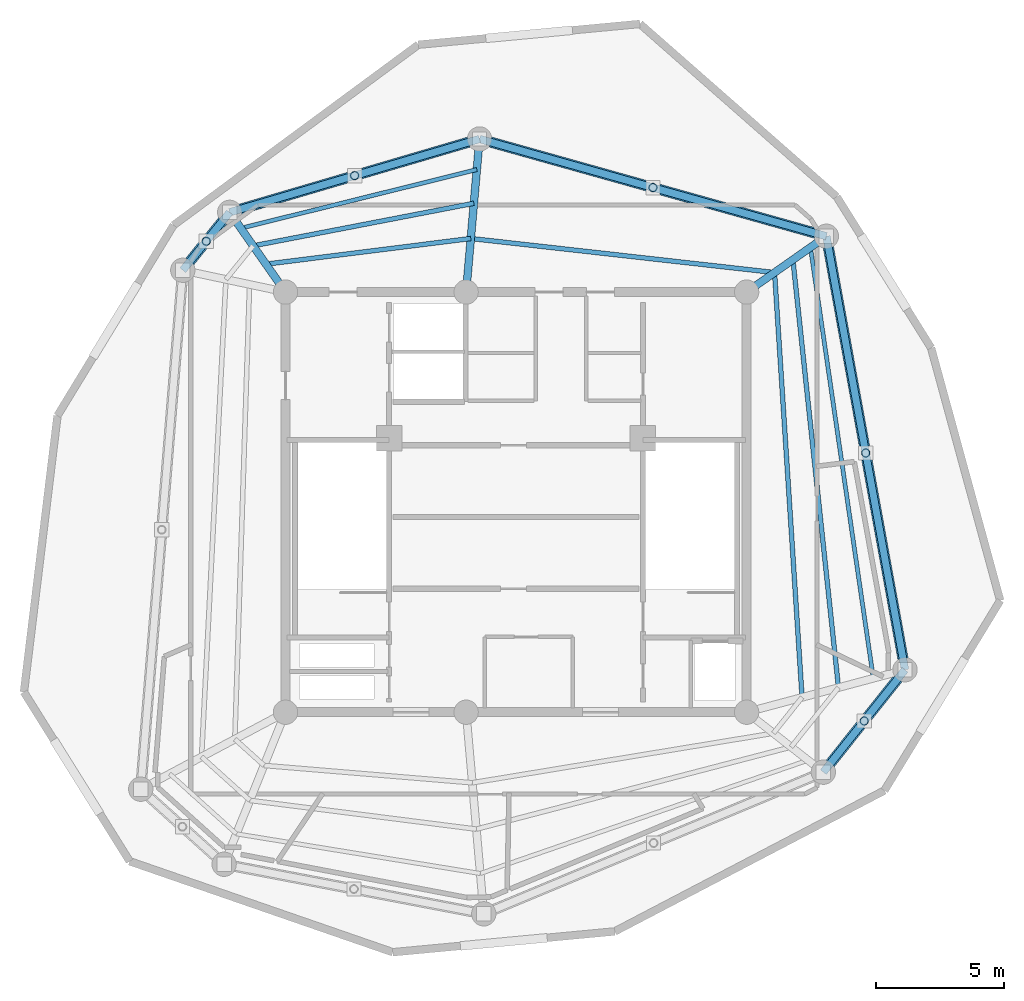
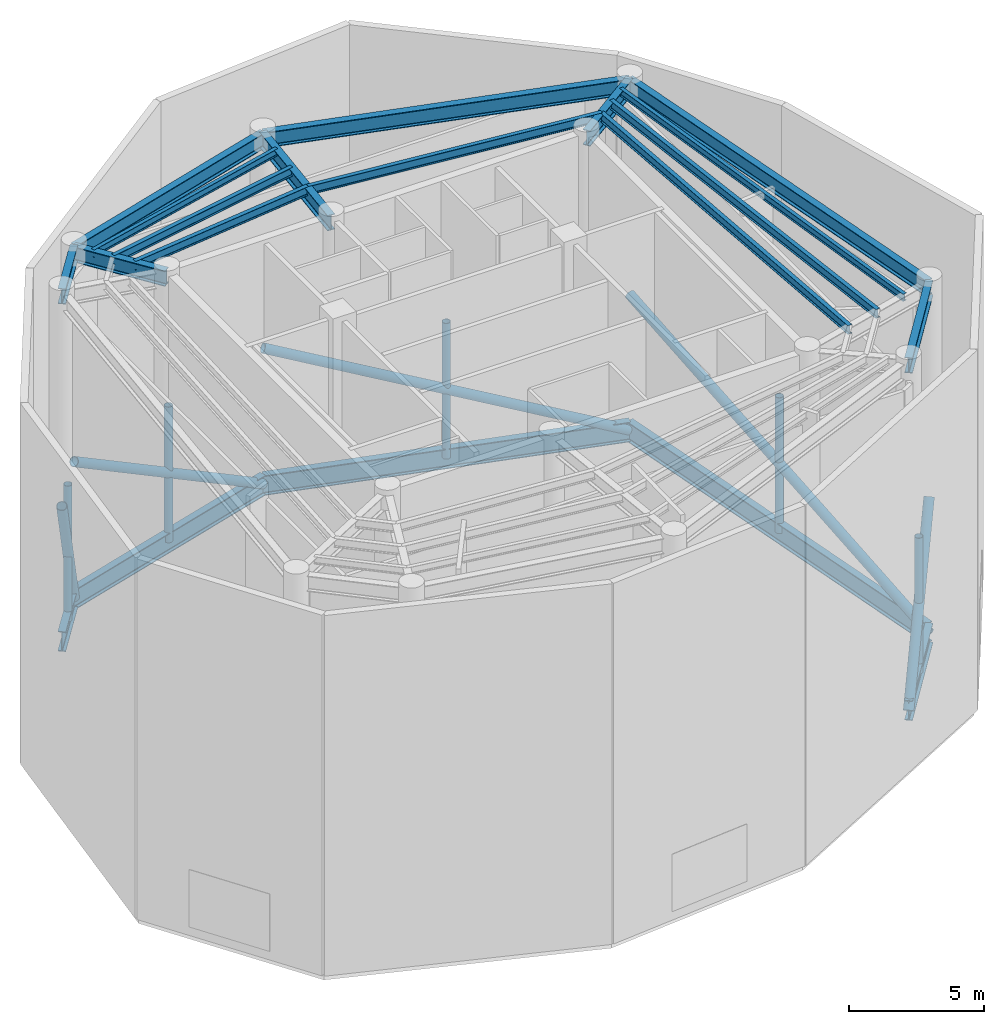
# One storey, part 2 of 6: 15 beams, 15 members.
"""IFC4 building model written with IfcOpenShell, lengths in metres."""

from ifc_helpers import new_model, si_unit, direction, frame, origin, origin_with_axes, origin_2d, place, context, subcontext, project, spatial, hollow_circle, i_section, extrude, source, transform, mapped, material, material_profile, profile_set, type_object, element, save


model = new_model("IFC4")

# Units and contexts
model_context = context("Model", 3, precision=1e-05, world=origin(), true_north=direction((0.0, 1.0)))
body_context = subcontext(model_context, "Body", "Model", "MODEL_VIEW")
ifc_project = project(units=[si_unit("LENGTHUNIT", "METRE"), si_unit("AREAUNIT", "SQUARE_METRE"), si_unit("VOLUMEUNIT", "CUBIC_METRE"), si_unit("PLANEANGLEUNIT", "RADIAN"), si_unit("MASSUNIT", "GRAM", prefix="KILO")], contexts=[model_context])

# Site, building, storey
site_placement = place(None, origin())
site = spatial("IfcSite", under=ifc_project, at=site_placement, CompositionType="ELEMENT")
building_placement = place(site_placement, origin())
building = spatial("IfcBuilding", under=site, at=building_placement, Name="Karkom Vertical University and Central Library", CompositionType="ELEMENT")
storey_placement = place(building_placement, frame((0.0, 0.0, 273.39990234375)))
storey = spatial("IfcBuildingStorey", under=building, at=storey_placement, Name="C81", CompositionType="ELEMENT", Elevation=273.39990234375)

# Beams
ifc_material_1 = material(Name="Steel S355", Category="steel")
ifc_material_profile_1 = material_profile(ifc_material_1, i_section(OverallWidth=0.179931640625, OverallDepth=0.39990234375, WebThickness=0.008544921875, FlangeThickness=0.013427734375, FilletRadius=0.02099609375, at=origin_2d()), Name="IPE 400")
ifc_profile_set_1 = profile_set([ifc_material_profile_1], Name="Steel S355")
beam_type_1 = type_object("IfcBeamType", Name="STR-BM-SB-IPE400", PredefinedType="BEAM", material=ifc_profile_set_1)
shared_shape_1 = source(origin_with_axes(), body_context, "Body", "SweptSolid", [
    extrude(i_section(OverallWidth=0.179931640625, OverallDepth=0.39990234375, WebThickness=0.008544921875, FlangeThickness=0.013427734375, FilletRadius=0.02099609375, at=origin_2d()), origin(), (0.0, 0.0, 1.0), 16.617919921875),
])
beam_1_placement = place(storey_placement, frame((39.663818359375, 18.879638671875, 16.150146484375), z_axis=(-0.064641848008, 0.997908528617, 0.0), x_axis=(-0.997908528617, -0.064641848008, 0.0)))
element("IfcBeam", 1, at=beam_1_placement, inside=storey, type_object=beam_type_1, Name="Crown Level 81 Secondary Composite Floor Beam 1.01", PredefinedType="BEAM", context=body_context, shape_type="MappedRepresentation", body=[
    mapped(shared_shape_1, transform((0.0, 0.0, 0.0), scale=1.0)),
])
shared_shape_2 = source(origin_with_axes(), body_context, "Body", "SweptSolid", [
    extrude(i_section(OverallWidth=0.179931640625, OverallDepth=0.39990234375, WebThickness=0.008544921875, FlangeThickness=0.013427734375, FilletRadius=0.02099609375, at=origin_2d()), origin(), (0.0, 0.0, 1.0), 11.9306640625),
])
beam_2_placement = place(storey_placement, frame((38.589599609375, 35.462890625, 16.150146484375), z_axis=(-0.993775454886, 0.11140172919, 0.0), x_axis=(-0.11140172919, -0.993775454886, 0.0)))
element("IfcBeam", 2, at=beam_2_placement, inside=storey, type_object=beam_type_1, Name="Crown Level 81 Secondary Composite Floor Beam 1.02", PredefinedType="BEAM", context=body_context, shape_type="MappedRepresentation", body=[
    mapped(shared_shape_2, transform((0.0, 0.0, 0.0), scale=1.0)),
])
shared_shape_3 = source(origin_with_axes(), body_context, "Body", "SweptSolid", [
    extrude(i_section(OverallWidth=0.179931640625, OverallDepth=0.39990234375, WebThickness=0.008544921875, FlangeThickness=0.013427734375, FilletRadius=0.02099609375, at=origin_2d()), origin(), (0.0, 0.0, 1.0), 8.05859375),
])
beam_3_placement = place(storey_placement, frame((26.733154296875, 36.7919921875, 16.150146484375), z_axis=(-0.99223306826, -0.124392677646, 0.0), x_axis=(0.124392677646, -0.99223306826, 0.0)))
element("IfcBeam", 3, at=beam_3_placement, inside=storey, type_object=beam_type_1, Name="Crown Level 81 Secondary Composite Floor Beam 1.03", PredefinedType="BEAM", context=body_context, shape_type="MappedRepresentation", body=[
    mapped(shared_shape_3, transform((0.0, 0.0, 0.0), scale=1.0)),
])
shared_shape_4 = source(origin_with_axes(), body_context, "Body", "SweptSolid", [
    extrude(i_section(OverallWidth=0.179931640625, OverallDepth=0.39990234375, WebThickness=0.008544921875, FlangeThickness=0.013427734375, FilletRadius=0.02099609375, at=origin_2d()), origin(), (0.0, 0.0, 1.0), 16.79833984375),
])
beam_4_placement = place(storey_placement, frame((41.085693359375, 19.260498046875, 16.150146484375), z_axis=(-0.105978377704, 0.994368434464, 0.0), x_axis=(-0.994368434464, -0.105978377704, 0.0)))
element("IfcBeam", 4, at=beam_4_placement, inside=storey, type_object=beam_type_1, Name="Crown Level 81 Secondary Composite Floor Beam 2.01", PredefinedType="BEAM", context=body_context, shape_type="MappedRepresentation", body=[
    mapped(shared_shape_4, transform((0.0, 0.0, 0.0), scale=1.0)),
])
shared_shape_5 = source(origin_with_axes(), body_context, "Body", "SweptSolid", [
    extrude(i_section(OverallWidth=0.179931640625, OverallDepth=0.39990234375, WebThickness=0.008544921875, FlangeThickness=0.013427734375, FilletRadius=0.02099609375, at=origin_2d()), origin(), (0.0, 0.0, 1.0), 8.7763671875),
])
beam_5_placement = place(storey_placement, frame((26.853271484375, 38.166748046875, 16.150146484375), z_axis=(-0.981924209256, -0.189274528862, 0.0), x_axis=(0.189274528862, -0.981924209256, 0.0)))
element("IfcBeam", 5, at=beam_5_placement, inside=storey, type_object=beam_type_1, Name="Crown Level 81 Secondary Composite Floor Beam 2.03", PredefinedType="BEAM", context=body_context, shape_type="MappedRepresentation", body=[
    mapped(shared_shape_5, transform((0.0, 0.0, 0.0), scale=1.0)),
])
ifc_material_profile_2 = material_profile(ifc_material_1, i_section(OverallWidth=0.159912109375, OverallDepth=0.330078125, WebThickness=0.007568359375, FlangeThickness=0.011474609375, FilletRadius=0.01806640625, at=origin_2d()), Name="IPE 330")
ifc_profile_set_2 = profile_set([ifc_material_profile_2], Name="Steel S355")
beam_type_2 = type_object("IfcBeamType", Name="STR-BM-SB-IPE330", PredefinedType="BEAM", material=ifc_profile_set_2)
shared_shape_6 = source(origin_with_axes(), body_context, "Body", "SweptSolid", [
    extrude(i_section(OverallWidth=0.159912109375, OverallDepth=0.330078125, WebThickness=0.007568359375, FlangeThickness=0.011474609375, FilletRadius=0.01806640625, at=origin_2d()), origin(), (0.0, 0.0, 1.0), 16.99755859375),
])
beam_6_placement = place(storey_placement, frame((42.445556640625, 19.624755859375, 16.18505859375), z_axis=(-0.144436985275, 0.98951400055, 0.0), x_axis=(-0.98951400055, -0.144436985275, 0.0)))
element("IfcBeam", 6, at=beam_6_placement, inside=storey, type_object=beam_type_2, Name="Crown Level 81 Secondary Composite Floor Beam 3.01", PredefinedType="BEAM", context=body_context, shape_type="MappedRepresentation", body=[
    mapped(shared_shape_6, transform((0.0, 0.0, 0.0), scale=1.0)),
])
shared_shape_7 = source(origin_with_axes(), body_context, "Body", "SweptSolid", [
    extrude(i_section(OverallWidth=0.159912109375, OverallDepth=0.330078125, WebThickness=0.007568359375, FlangeThickness=0.011474609375, FilletRadius=0.01806640625, at=origin_2d()), origin(), (0.0, 0.0, 1.0), 9.4931640625),
])
beam_7_placement = place(storey_placement, frame((26.968505859375, 39.481689453125, 16.18505859375), z_axis=(-0.970435275293, -0.241361505767, 0.0), x_axis=(0.241361505767, -0.970435275293, 0.0)))
element("IfcBeam", 7, at=beam_7_placement, inside=storey, type_object=beam_type_2, Name="Crown Level 81 Secondary Composite Floor Beam 3.03", PredefinedType="BEAM", context=body_context, shape_type="MappedRepresentation", body=[
    mapped(shared_shape_7, transform((0.0, 0.0, 0.0), scale=1.0)),
])

# Members
ifc_material_2 = material(Name="Steel S460", Category="steel")
ifc_material_profile_3 = material_profile(ifc_material_2, i_section(OverallWidth=0.300048828125, OverallDepth=0.89990234375, WebThickness=0.0185546875, FlangeThickness=0.034912109375, FilletRadius=0.030029296875, at=origin_2d()), Name="HE 900 B")
ifc_profile_set_3 = profile_set([ifc_material_profile_3], Name="Steel S460")
member_type_1 = type_object("IfcMemberType", Name="STR-MEM-CH-1", PredefinedType="CHORD", material=ifc_profile_set_3)
shared_shape_8 = source(origin_with_axes(), body_context, "Body", "SweptSolid", [
    extrude(i_section(OverallWidth=0.300048828125, OverallDepth=0.89990234375, WebThickness=0.0185546875, FlangeThickness=0.034912109375, FilletRadius=0.030029296875, at=origin_2d()), origin(), (0.0, 0.0, 1.0), 17.19970703125),
])
member_1_placement = place(storey_placement, frame((43.681884765625, 19.9560546875, 0.35009765625), z_axis=(-0.178423249727, 0.983953832228, 0.0), x_axis=(-0.983953832228, -0.178423249727, 0.0)))
element("IfcMember", 8, at=member_1_placement, inside=storey, type_object=member_type_1, Name="Crown Level 81 Belt Truss Bottom Chord 01", PredefinedType="CHORD", context=body_context, shape_type="MappedRepresentation", body=[
    mapped(shared_shape_8, transform((0.0, 0.0, 0.0), scale=1.0)),
])
shared_shape_9 = source(origin_with_axes(), body_context, "Body", "SweptSolid", [
    extrude(i_section(OverallWidth=0.300048828125, OverallDepth=0.89990234375, WebThickness=0.0185546875, FlangeThickness=0.034912109375, FilletRadius=0.030029296875, at=origin_2d()), origin(), (0.0, 0.0, 1.0), 14.0625),
])
member_2_placement = place(storey_placement, frame((40.613037109375, 36.8798828125, 0.35009765625), z_axis=(-0.962854853531, 0.270019501207, 0.0), x_axis=(-0.270019501207, -0.962854853531, 0.0)))
element("IfcMember", 9, at=member_2_placement, inside=storey, type_object=member_type_1, Name="Crown Level 81 Belt Truss Bottom Chord 02", PredefinedType="CHORD", context=body_context, shape_type="MappedRepresentation", body=[
    mapped(shared_shape_9, transform((0.0, 0.0, 0.0), scale=1.0)),
])
shared_shape_10 = source(origin_with_axes(), body_context, "Body", "SweptSolid", [
    extrude(i_section(OverallWidth=0.300048828125, OverallDepth=0.89990234375, WebThickness=0.0185546875, FlangeThickness=0.034912109375, FilletRadius=0.030029296875, at=origin_2d()), origin(), (0.0, 0.0, 1.0), 10.164794921875),
])
member_3_placement = place(storey_placement, frame((27.072998046875, 40.677001953125, 0.35009765625), z_axis=(-0.959485124536, -0.281759286971, 0.0), x_axis=(0.281759286971, -0.959485124536, 0.0)))
element("IfcMember", 10, at=member_3_placement, inside=storey, type_object=member_type_1, Name="Crown Level 81 Belt Truss Bottom Chord 03", PredefinedType="CHORD", context=body_context, shape_type="MappedRepresentation", body=[
    mapped(shared_shape_10, transform((0.0, 0.0, 0.0), scale=1.0)),
])
shared_shape_11 = source(origin_with_axes(), body_context, "Body", "SweptSolid", [
    extrude(i_section(OverallWidth=0.300048828125, OverallDepth=0.89990234375, WebThickness=0.0185546875, FlangeThickness=0.034912109375, FilletRadius=0.030029296875, at=origin_2d()), origin(), (0.0, 0.0, 1.0), 2.908935546875),
])
member_4_placement = place(storey_placement, frame((17.320068359375, 37.81298828125, 0.35009765625), z_axis=(-0.629147523747, -0.777285914811, 0.0), x_axis=(0.777285914811, -0.629147523747, 0.0)))
element("IfcMember", 11, at=member_4_placement, inside=storey, type_object=member_type_1, Name="Crown Level 81 Belt Truss Bottom Chord 04", PredefinedType="CHORD", context=body_context, shape_type="MappedRepresentation", body=[
    mapped(shared_shape_11, transform((0.0, 0.0, 0.0), scale=1.0)),
])
shared_shape_12 = source(origin_with_axes(), body_context, "Body", "SweptSolid", [
    extrude(i_section(OverallWidth=0.300048828125, OverallDepth=0.89990234375, WebThickness=0.0185546875, FlangeThickness=0.034912109375, FilletRadius=0.030029296875, at=origin_2d()), origin(), (0.0, 0.0, 1.0), 5.112060546875),
])
member_5_placement = place(storey_placement, frame((40.493896484375, 15.9599609375, 0.35009765625), z_axis=(0.623634459503, 0.78171609995, 0.0), x_axis=(-0.78171609995, 0.623634459503, 0.0)))
element("IfcMember", 12, at=member_5_placement, inside=storey, type_object=member_type_1, Name="Crown Level 81 Belt Truss Bottom Chord 09", PredefinedType="CHORD", context=body_context, shape_type="MappedRepresentation", body=[
    mapped(shared_shape_12, transform((0.0, 0.0, 0.0), scale=1.0)),
])

# Beams
ifc_material_profile_4 = material_profile(ifc_material_1, i_section(OverallWidth=0.300048828125, OverallDepth=0.699951171875, WebThickness=0.01708984375, FlangeThickness=0.031982421875, FilletRadius=0.027099609375, at=origin_2d()), Name="HE 700 B")
ifc_profile_set_4 = profile_set([ifc_material_profile_4], Name="Steel S355")
beam_type_3 = type_object("IfcBeamType", Name="STR-BM-SB-HE700", PredefinedType="USERDEFINED", material=ifc_profile_set_4)
shared_shape_13 = source(origin_with_axes(), body_context, "Body", "SweptSolid", [
    extrude(i_section(OverallWidth=0.300048828125, OverallDepth=0.699951171875, WebThickness=0.01708984375, FlangeThickness=0.031982421875, FilletRadius=0.027099609375, at=origin_2d()), origin(), (0.0, 0.0, 1.0), 3.80029296875),
])
for number, where, z_axis, x_axis, name in (
    (13, (37.5, 34.699951171875, 16.0), (0.819132313625, 0.573604613627, 0.0), (-0.573604613627, 0.819132313625, 0.0), "Crown Level 81 Radial Frame Girder 02"),
    (14, (19.5, 34.699951171875, 16.0), (-0.573604613627, 0.819132313625, 0.0), (-0.819132313625, -0.573604613627, 0.0), "Crown Level 81 Radial Frame Girder 04"),
):
    element("IfcBeam", number, at=place(storey_placement, frame(where, z_axis=z_axis, x_axis=x_axis)), inside=storey, type_object=beam_type_3, Name=name, ObjectType="GIRDER", PredefinedType="USERDEFINED", context=body_context, shape_type="MappedRepresentation", body=[
        mapped(shared_shape_13, transform((0.0, 0.0, 0.0), scale=1.0)),
    ])
shared_shape_14 = source(origin_with_axes(), body_context, "Body", "SweptSolid", [
    extrude(i_section(OverallWidth=0.300048828125, OverallDepth=0.699951171875, WebThickness=0.01708984375, FlangeThickness=0.031982421875, FilletRadius=0.027099609375, at=origin_2d()), origin(), (0.0, 0.0, 1.0), 6.0),
])
beam_8_placement = place(storey_placement, frame((26.550048828125, 34.699951171875, 16.0), z_axis=(0.087159883478, 0.996194335816, 0.0), x_axis=(-0.996194335816, 0.087159883478, 0.0)))
element("IfcBeam", 15, at=beam_8_placement, inside=storey, type_object=beam_type_3, Name="Crown Level 81 Radial Frame Girder 03", ObjectType="GIRDER", PredefinedType="USERDEFINED", context=body_context, shape_type="MappedRepresentation", body=[
    mapped(shared_shape_14, transform((0.0, 0.0, 0.0), scale=1.0)),
])
shared_shape_15 = source(origin_with_axes(), body_context, "Body", "SweptSolid", [
    extrude(i_section(OverallWidth=0.300048828125, OverallDepth=0.699951171875, WebThickness=0.01708984375, FlangeThickness=0.031982421875, FilletRadius=0.027099609375, at=origin_2d()), origin(), (0.0, 0.0, 1.0), 17.19970703125),
])
beam_9_placement = place(storey_placement, frame((43.681884765625, 19.9560546875, 16.0), z_axis=(-0.178423249727, 0.983953832228, 0.0), x_axis=(-0.983953832228, -0.178423249727, 0.0)))
element("IfcBeam", 16, at=beam_9_placement, inside=storey, type_object=beam_type_3, Name="Crown Level 81 Perimeter Spandrel Beam 01", ObjectType="GIRDER", PredefinedType="USERDEFINED", context=body_context, shape_type="MappedRepresentation", body=[
    mapped(shared_shape_15, transform((0.0, 0.0, 0.0), scale=1.0)),
])
shared_shape_16 = source(origin_with_axes(), body_context, "Body", "SweptSolid", [
    extrude(i_section(OverallWidth=0.300048828125, OverallDepth=0.699951171875, WebThickness=0.01708984375, FlangeThickness=0.031982421875, FilletRadius=0.027099609375, at=origin_2d()), origin(), (0.0, 0.0, 1.0), 14.0625),
])
beam_10_placement = place(storey_placement, frame((40.613037109375, 36.8798828125, 16.0), z_axis=(-0.962854853531, 0.270019501207, 0.0), x_axis=(-0.270019501207, -0.962854853531, 0.0)))
element("IfcBeam", 17, at=beam_10_placement, inside=storey, type_object=beam_type_3, Name="Crown Level 81 Perimeter Spandrel Beam 02", ObjectType="GIRDER", PredefinedType="USERDEFINED", context=body_context, shape_type="MappedRepresentation", body=[
    mapped(shared_shape_16, transform((0.0, 0.0, 0.0), scale=1.0)),
])
shared_shape_17 = source(origin_with_axes(), body_context, "Body", "SweptSolid", [
    extrude(i_section(OverallWidth=0.300048828125, OverallDepth=0.699951171875, WebThickness=0.01708984375, FlangeThickness=0.031982421875, FilletRadius=0.027099609375, at=origin_2d()), origin(), (0.0, 0.0, 1.0), 10.164794921875),
])
beam_11_placement = place(storey_placement, frame((27.072998046875, 40.677001953125, 16.0), z_axis=(-0.959485124536, -0.281759286971, 0.0), x_axis=(0.281759286971, -0.959485124536, 0.0)))
element("IfcBeam", 18, at=beam_11_placement, inside=storey, type_object=beam_type_3, Name="Crown Level 81 Perimeter Spandrel Beam 03", ObjectType="GIRDER", PredefinedType="USERDEFINED", context=body_context, shape_type="MappedRepresentation", body=[
    mapped(shared_shape_17, transform((0.0, 0.0, 0.0), scale=1.0)),
])
shared_shape_18 = source(origin_with_axes(), body_context, "Body", "SweptSolid", [
    extrude(i_section(OverallWidth=0.300048828125, OverallDepth=0.699951171875, WebThickness=0.01708984375, FlangeThickness=0.031982421875, FilletRadius=0.027099609375, at=origin_2d()), origin(), (0.0, 0.0, 1.0), 2.908935546875),
])
beam_12_placement = place(storey_placement, frame((17.320068359375, 37.81298828125, 16.0), z_axis=(-0.629147523747, -0.777285914811, 0.0), x_axis=(0.777285914811, -0.629147523747, 0.0)))
element("IfcBeam", 19, at=beam_12_placement, inside=storey, type_object=beam_type_3, Name="Crown Level 81 Perimeter Spandrel Beam 04", ObjectType="GIRDER", PredefinedType="USERDEFINED", context=body_context, shape_type="MappedRepresentation", body=[
    mapped(shared_shape_18, transform((0.0, 0.0, 0.0), scale=1.0)),
])
shared_shape_19 = source(origin_with_axes(), body_context, "Body", "SweptSolid", [
    extrude(i_section(OverallWidth=0.300048828125, OverallDepth=0.699951171875, WebThickness=0.01708984375, FlangeThickness=0.031982421875, FilletRadius=0.027099609375, at=origin_2d()), origin(), (0.0, 0.0, 1.0), 5.112060546875),
])
beam_13_placement = place(storey_placement, frame((40.493896484375, 15.9599609375, 16.0), z_axis=(0.623634459503, 0.78171609995, 0.0), x_axis=(-0.78171609995, 0.623634459503, 0.0)))
element("IfcBeam", 20, at=beam_13_placement, inside=storey, type_object=beam_type_3, Name="Crown Level 81 Perimeter Spandrel Beam 09", ObjectType="GIRDER", PredefinedType="USERDEFINED", context=body_context, shape_type="MappedRepresentation", body=[
    mapped(shared_shape_19, transform((0.0, 0.0, 0.0), scale=1.0)),
])

# Members
ifc_material_profile_5 = material_profile(ifc_material_1, hollow_circle(Radius=0.203125, WallThickness=0.02001953125, at=origin_2d()), Name="CHS 406.4x20")
ifc_profile_set_5 = profile_set([ifc_material_profile_5], Name="Steel S355")
member_type_2 = type_object("IfcMemberType", Name="STR-MEM-BR-2", PredefinedType="BRACE", material=ifc_profile_set_5)
shared_shape_20 = source(origin_with_axes(), body_context, "Body", "SweptSolid", [
    extrude(hollow_circle(Radius=0.203125, WallThickness=0.02001953125, at=origin_2d()), origin(), (0.0, 0.0, 1.0), 18.26611328125),
])
member_6_placement = place(storey_placement, frame((43.681884765625, 19.9560546875, 0.35009765625), z_axis=(-0.168006644077, 0.926509193907, 0.336681572339), x_axis=(-0.983953832228, -0.178423249727, 0.0)))
element("IfcMember", 21, at=member_6_placement, inside=storey, type_object=member_type_2, Name="Crown Level 81 Belt Truss Diagonal Brace 01", PredefinedType="BRACE", context=body_context, shape_type="MappedRepresentation", body=[
    mapped(shared_shape_20, transform((0.0, 0.0, 0.0), scale=1.0)),
])
ifc_material_profile_6 = material_profile(ifc_material_1, hollow_circle(Radius=0.161865234375, WallThickness=0.01611328125, at=origin_2d()), Name="CHS 323.9x16")
ifc_profile_set_6 = profile_set([ifc_material_profile_6], Name="Steel S355")
member_type_3 = type_object("IfcMemberType", Name="STR-MEM-PT-1", PredefinedType="POST", material=ifc_profile_set_6)
shared_shape_21 = source(origin_with_axes(), body_context, "Body", "SweptSolid", [
    extrude(hollow_circle(Radius=0.161865234375, WallThickness=0.01611328125, at=origin_2d()), origin(), (0.0, 0.0, 1.0), 6.14990234375),
])
for number, where, z_axis, x_axis, name in (
    (22, (42.1474609375, 28.41796875, 0.35009765625), (0.0, 0.0, 1.0), (1.0, 0.0, 0.0), "Crown Level 81 Belt Truss Web Post 01"),
    (23, (33.843017578125, 38.778564453125, 0.35009765625), (0.0, 0.0, 1.0), (1.0, 0.0, 0.0), "Crown Level 81 Belt Truss Web Post 02"),
    (24, (22.196533203125, 39.2451171875, 0.35009765625), (0.0, 0.0, 1.0), (1.0, 0.0, 0.0), "Crown Level 81 Belt Truss Web Post 03"),
    (25, (16.405029296875, 36.6826171875, 0.35009765625), (0.0, 0.0, 1.0), (1.0, 0.0, 0.0), "Crown Level 81 Belt Truss Web Post 04"),
    (26, (42.087890625, 17.9580078125, 0.35009765625), (0.0, 0.0, 1.0), (1.0, 0.0, 0.0), "Crown Level 81 Belt Truss Web Post 09"),
):
    element("IfcMember", number, at=place(storey_placement, frame(where, z_axis=z_axis, x_axis=x_axis)), inside=storey, type_object=member_type_3, Name=name, PredefinedType="POST", context=body_context, shape_type="MappedRepresentation", body=[
        mapped(shared_shape_21, transform((0.0, 0.0, 0.0), scale=1.0)),
    ])
shared_shape_22 = source(origin_with_axes(), body_context, "Body", "SweptSolid", [
    extrude(hollow_circle(Radius=0.203125, WallThickness=0.02001953125, at=origin_2d()), origin(), (0.0, 0.0, 1.0), 15.348388671875),
])
member_7_placement = place(storey_placement, frame((40.613037109375, 36.8798828125, 0.35009765625), z_axis=(-0.882181645746, 0.247395801231, 0.400687985149), x_axis=(-0.270019501207, -0.962854853531, 0.0)))
element("IfcMember", 27, at=member_7_placement, inside=storey, type_object=member_type_2, Name="Crown Level 81 Belt Truss Diagonal Brace 02", PredefinedType="BRACE", context=body_context, shape_type="MappedRepresentation", body=[
    mapped(shared_shape_22, transform((0.0, 0.0, 0.0), scale=1.0)),
])
shared_shape_23 = source(origin_with_axes(), body_context, "Body", "SweptSolid", [
    extrude(hollow_circle(Radius=0.203125, WallThickness=0.02001953125, at=origin_2d()), origin(), (0.0, 0.0, 1.0), 11.88037109375),
])
member_8_placement = place(storey_placement, frame((27.072998046875, 40.677001953125, 0.35009765625), z_axis=(-0.820927181197, -0.24107081112, 0.517651839751), x_axis=(0.281759286971, -0.959485124536, 0.0)))
element("IfcMember", 28, at=member_8_placement, inside=storey, type_object=member_type_2, Name="Crown Level 81 Belt Truss Diagonal Brace 03", PredefinedType="BRACE", context=body_context, shape_type="MappedRepresentation", body=[
    mapped(shared_shape_23, transform((0.0, 0.0, 0.0), scale=1.0)),
])
shared_shape_24 = source(origin_with_axes(), body_context, "Body", "SweptSolid", [
    extrude(hollow_circle(Radius=0.203125, WallThickness=0.02001953125, at=origin_2d()), origin(), (0.0, 0.0, 1.0), 6.80322265625),
])
member_9_placement = place(storey_placement, frame((17.320068359375, 37.81298828125, 0.35009765625), z_axis=(-0.269005412808, -0.332345134473, 0.90398163669), x_axis=(0.777285914811, -0.629147523747, 0.0)))
element("IfcMember", 29, at=member_9_placement, inside=storey, type_object=member_type_2, Name="Crown Level 81 Belt Truss Diagonal Brace 04", PredefinedType="BRACE", context=body_context, shape_type="MappedRepresentation", body=[
    mapped(shared_shape_24, transform((0.0, 0.0, 0.0), scale=1.0)),
])
shared_shape_25 = source(origin_with_axes(), body_context, "Body", "SweptSolid", [
    extrude(hollow_circle(Radius=0.203125, WallThickness=0.02001953125, at=origin_2d()), origin(), (0.0, 0.0, 1.0), 7.9970703125),
])
member_10_placement = place(storey_placement, frame((40.493896484375, 15.9599609375, 0.35009765625), z_axis=(0.398643900443, 0.499693931878, 0.769018215053), x_axis=(-0.78171609995, 0.623634459503, 0.0)))
element("IfcMember", 30, at=member_10_placement, inside=storey, type_object=member_type_2, Name="Crown Level 81 Belt Truss Diagonal Brace 09", PredefinedType="BRACE", context=body_context, shape_type="MappedRepresentation", body=[
    mapped(shared_shape_25, transform((0.0, 0.0, 0.0), scale=1.0)),
])

save(model, "model.ifc")
